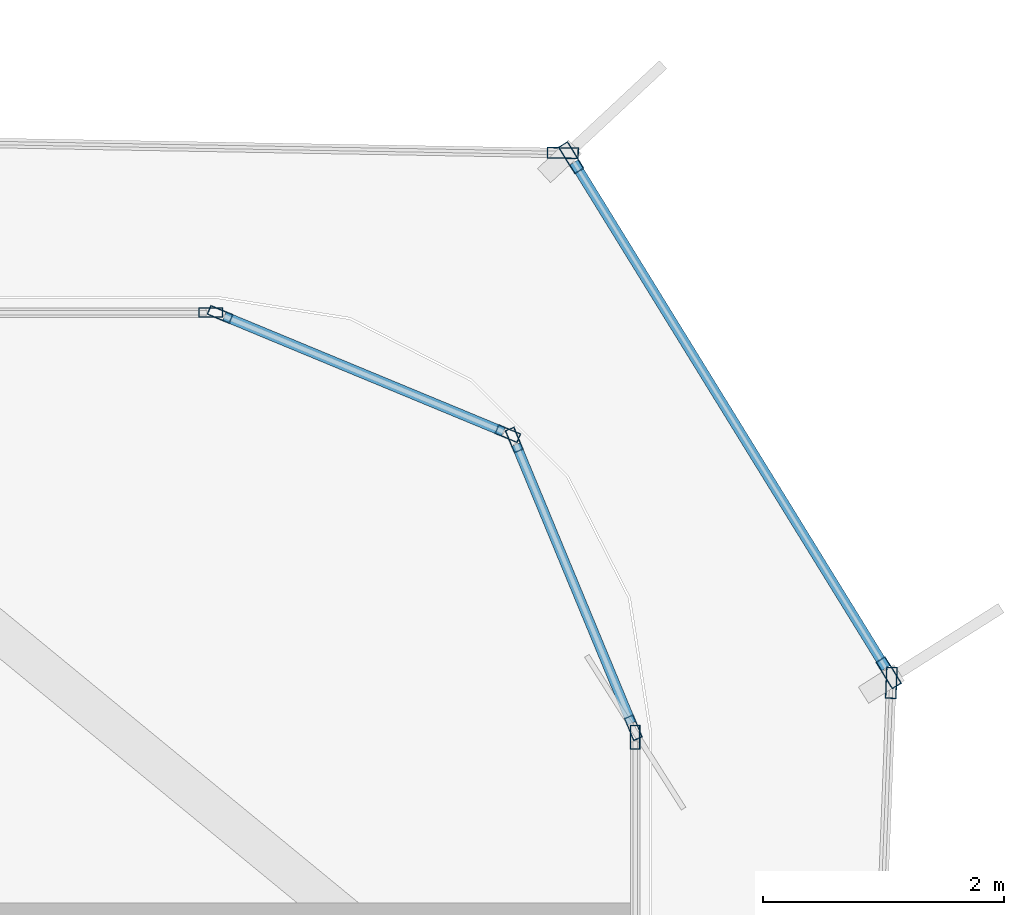
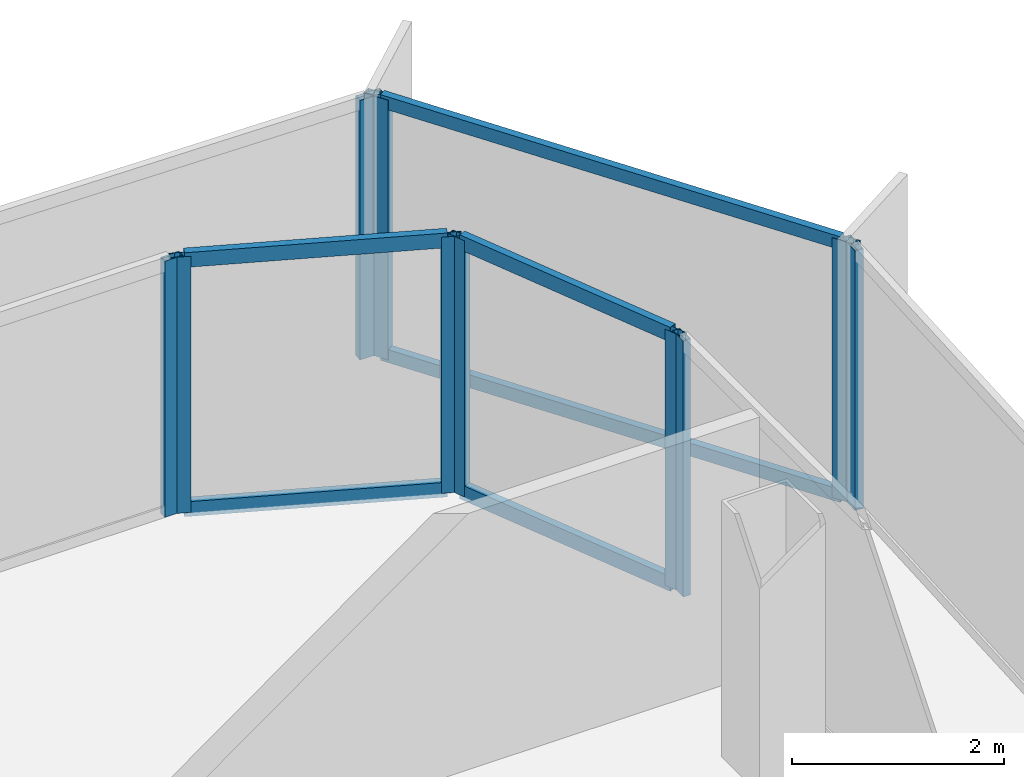
# One storey, part 8 of 16: 16 members, 7 elements without a shape of their own.
"""IFC4 building model written with IfcOpenShell, lengths in metres."""

from ifc_helpers import new_model, si_unit, direction, frame, origin, origin_2d, place, context, subcontext, project, spatial, hollow_rectangle, extrude, source, transform, mapped, material, layer, layer_set, material_profile, profile_set, type_object, element, aggregate, save


model = new_model("IFC4")

# Units and contexts
model_context = context("Model", 3, precision=1e-05, world=origin(), true_north=direction((0.0, 1.0)))
body_context = subcontext(model_context, "Body", "Model", "MODEL_VIEW")
ifc_project = project(units=[si_unit("LENGTHUNIT", "METRE"), si_unit("AREAUNIT", "SQUARE_METRE"), si_unit("VOLUMEUNIT", "CUBIC_METRE"), si_unit("PLANEANGLEUNIT", "RADIAN"), si_unit("MASSUNIT", "GRAM", prefix="KILO")], contexts=[model_context])

# Site, building, storey
site_placement = place(None, origin())
site = spatial("IfcSite", under=ifc_project, at=site_placement, CompositionType="ELEMENT")
building_placement = place(site_placement, origin())
building = spatial("IfcBuilding", under=site, at=building_placement, Name="Kolveth Station Tower", CompositionType="ELEMENT")
storey_placement = place(building_placement, frame((0.0, 0.0, 206.0)))
storey = spatial("IfcBuildingStorey", under=building, at=storey_placement, Name="L58", CompositionType="ELEMENT", Elevation=206.0)

# Curtain wall, member
ifc_material_1 = material(Name="Aluminium 6063-T6 and low-E dark glass", Category="aluminium")
ifc_layer_1 = layer(ifc_material_1, 0.18994140625)
ifc_layer_set_1 = layer_set([ifc_layer_1], Name="Aluminium 6063-T6 and low-E dark glass")
curtain_wall_type_1 = type_object("IfcCurtainWallType", Name="CurtainWall_CW-Z2", PredefinedType="NOTDEFINED", material=ifc_layer_set_1)
curtain_wall_1_placement = place(storey_placement, origin())
curtain_wall_1 = element("IfcCurtainWall", 1, at=curtain_wall_1_placement, inside=storey, type_object=curtain_wall_type_1, Name="L58 Inner Thermal Curtain Wall 3", PredefinedType="NOTDEFINED")
ifc_material_2 = material(Name="Black anodized aluminium 6063-T6", Category="aluminium")
ifc_material_profile_1 = material_profile(ifc_material_2, hollow_rectangle(XDim=0.080078125, YDim=0.199951171875, WallThickness=0.0048828125, at=origin_2d()), Name="ALU-80x200x5")
ifc_profile_set_1 = profile_set([ifc_material_profile_1], Name="Black anodized aluminium 6063-T6")
member_type_1 = type_object("IfcMemberType", Name="Mullion_ML2", PredefinedType="MULLION", material=ifc_profile_set_1)
shared_shape_1 = source(origin(), body_context, "Body", "SweptSolid", [
    extrude(hollow_rectangle(XDim=0.080078125, YDim=0.199951171875, WallThickness=0.0048828125, at=origin_2d()), origin(), (0.0, 0.0, 1.0), 2.949951171875),
])
member_1_placement = place(storey_placement, frame((41.679931640625, 31.659912109375, 0.0), z_axis=(0.0, 0.0, 1.0), x_axis=(-1.0, 0.0, 0.0)))
member_1 = element("IfcMember", 2, at=member_1_placement, type_object=member_type_1, Name="CW-Z2 mullion 2", PredefinedType="MULLION", context=body_context, shape_type="MappedRepresentation", body=[
    mapped(shared_shape_1, transform((0.0, 0.0, 0.0), x_axis=(1.0, 0.0, 0.0), y_axis=(0.0, 1.0, 0.0), z_axis=(0.0, 0.0, 1.0), scale=1.0)),
])
aggregate(curtain_wall_1, [member_1])

# Curtain wall, members
curtain_wall_2_placement = place(storey_placement, origin())
curtain_wall_2 = element("IfcCurtainWall", 3, at=curtain_wall_2_placement, inside=storey, type_object=curtain_wall_type_1, Name="L58 Inner Thermal Curtain Wall 4", PredefinedType="NOTDEFINED")
member_2_placement = place(storey_placement, frame((41.664794921875, 31.737060546875, 0.0), z_axis=(0.0, 0.0, 1.0), x_axis=(-0.923873600544, -0.382697753087, 0.0)))
member_2 = element("IfcMember", 4, at=member_2_placement, type_object=member_type_1, Name="CW-Z2 mullion 1", PredefinedType="MULLION", context=body_context, shape_type="MappedRepresentation", body=[
    mapped(shared_shape_1, transform((0.0, 0.0, 0.0), x_axis=(1.0, 0.0, 0.0), y_axis=(0.0, 1.0, 0.0), z_axis=(0.0, 0.0, 1.0), scale=1.0)),
])
member_3_placement = place(storey_placement, frame((40.676025390625, 34.123779296875, 0.0), z_axis=(0.0, 0.0, 1.0), x_axis=(-0.923873600544, -0.382697753087, 0.0)))
member_3 = element("IfcMember", 5, at=member_3_placement, type_object=member_type_1, Name="CW-Z2 mullion 2", PredefinedType="MULLION", context=body_context, shape_type="MappedRepresentation", body=[
    mapped(shared_shape_1, transform((0.0, 0.0, 0.0), x_axis=(1.0, 0.0, 0.0), y_axis=(0.0, 1.0, 0.0), z_axis=(0.0, 0.0, 1.0), scale=1.0)),
])

curtain_wall_3_placement = place(storey_placement, origin())
curtain_wall_3 = element("IfcCurtainWall", 6, at=curtain_wall_3_placement, inside=storey, type_object=curtain_wall_type_1, Name="L58 Inner Thermal Curtain Wall 5", PredefinedType="NOTDEFINED")
member_4_placement = place(storey_placement, frame((40.623779296875, 34.176025390625, 0.0), z_axis=(0.0, 0.0, 1.0), x_axis=(-0.382697753087, -0.923873600544, 0.0)))
member_4 = element("IfcMember", 7, at=member_4_placement, type_object=member_type_1, Name="CW-Z2 mullion 1", PredefinedType="MULLION", context=body_context, shape_type="MappedRepresentation", body=[
    mapped(shared_shape_1, transform((0.0, 0.0, 0.0), x_axis=(1.0, 0.0, 0.0), y_axis=(0.0, 1.0, 0.0), z_axis=(0.0, 0.0, 1.0), scale=1.0)),
])
member_5_placement = place(storey_placement, frame((38.237060546875, 35.164794921875, 0.0), z_axis=(0.0, 0.0, 1.0), x_axis=(-0.382697753087, -0.923873600544, 0.0)))
member_5 = element("IfcMember", 8, at=member_5_placement, type_object=member_type_1, Name="CW-Z2 mullion 2", PredefinedType="MULLION", context=body_context, shape_type="MappedRepresentation", body=[
    mapped(shared_shape_1, transform((0.0, 0.0, 0.0), x_axis=(1.0, 0.0, 0.0), y_axis=(0.0, 1.0, 0.0), z_axis=(0.0, 0.0, 1.0), scale=1.0)),
])

# Curtain wall, member
curtain_wall_4_placement = place(storey_placement, origin())
curtain_wall_4 = element("IfcCurtainWall", 9, at=curtain_wall_4_placement, inside=storey, type_object=curtain_wall_type_1, Name="L58 Inner Thermal Curtain Wall 6", PredefinedType="NOTDEFINED")
member_6_placement = place(storey_placement, frame((38.159912109375, 35.179931640625, 0.0), z_axis=(0.0, 0.0, 1.0), x_axis=(0.0, -1.0, 0.0)))
member_6 = element("IfcMember", 10, at=member_6_placement, type_object=member_type_1, Name="CW-Z2 mullion 1", PredefinedType="MULLION", context=body_context, shape_type="MappedRepresentation", body=[
    mapped(shared_shape_1, transform((0.0, 0.0, 0.0), x_axis=(1.0, 0.0, 0.0), y_axis=(0.0, 1.0, 0.0), z_axis=(0.0, 0.0, 1.0), scale=1.0)),
])
aggregate(curtain_wall_4, [member_6])

ifc_material_3 = material(Name="Black anodized aluminium 6063-T6 and dark solar glass", Category="aluminium")
ifc_layer_2 = layer(ifc_material_3, 0.159912109375)
ifc_layer_set_2 = layer_set([ifc_layer_2], Name="Black anodized aluminium 6063-T6 and dark solar glass")
curtain_wall_type_2 = type_object("IfcCurtainWallType", Name="OUTER SKIN CW-OS", PredefinedType="NOTDEFINED", material=ifc_layer_set_2)
curtain_wall_5_placement = place(storey_placement, origin())
curtain_wall_5 = element("IfcCurtainWall", 11, at=curtain_wall_5_placement, inside=storey, type_object=curtain_wall_type_2, Name="L58 Outer Ventilated Skin Curtain Wall 2", PredefinedType="NOTDEFINED")
ifc_material_profile_2 = material_profile(ifc_material_2, hollow_rectangle(XDim=0.090087890625, YDim=0.260009765625, WallThickness=0.0048828125, at=origin_2d()), Name="ALU-90x260x5")
ifc_profile_set_2 = profile_set([ifc_material_profile_2], Name="Black anodized aluminium 6063-T6")
member_type_2 = type_object("IfcMemberType", Name="FIN MULLION ML-OS", PredefinedType="MULLION", material=ifc_profile_set_2)
shared_shape_2 = source(origin(), body_context, "Body", "SweptSolid", [
    extrude(hollow_rectangle(XDim=0.090087890625, YDim=0.260009765625, WallThickness=0.0048828125, at=origin_2d()), origin(), (0.0, 0.0, 1.0), 2.989990234375),
])
member_7_placement = place(storey_placement, frame((43.803955078125, 32.109619140625, 0.0), z_axis=(0.0, 0.0, 1.0), x_axis=(-0.999237225825, 0.039050819788, 0.0)))
member_7 = element("IfcMember", 12, at=member_7_placement, type_object=member_type_2, Name="CW-OS mullion 2", PredefinedType="MULLION", context=body_context, shape_type="MappedRepresentation", body=[
    mapped(shared_shape_2, transform((0.0, 0.0, 0.0), x_axis=(1.0, 0.0, 0.0), y_axis=(0.0, 1.0, 0.0), z_axis=(0.0, 0.0, 1.0), scale=1.0)),
])
aggregate(curtain_wall_5, [member_7])

# Curtain wall, members
curtain_wall_6_placement = place(storey_placement, origin())
curtain_wall_6 = element("IfcCurtainWall", 13, at=curtain_wall_6_placement, inside=storey, type_object=curtain_wall_type_2, Name="L58 Outer Ventilated Skin Curtain Wall 3", PredefinedType="NOTDEFINED")
member_8_placement = place(storey_placement, frame((43.781982421875, 32.193115234375, 0.0), z_axis=(0.0, 0.0, 1.0), x_axis=(-0.851220429678, -0.52480832701, 0.0)))
member_8 = element("IfcMember", 14, at=member_8_placement, type_object=member_type_2, Name="CW-OS mullion 1", PredefinedType="MULLION", context=body_context, shape_type="MappedRepresentation", body=[
    mapped(shared_shape_2, transform((0.0, 0.0, 0.0), x_axis=(1.0, 0.0, 0.0), y_axis=(0.0, 1.0, 0.0), z_axis=(0.0, 0.0, 1.0), scale=1.0)),
])
member_9_placement = place(storey_placement, frame((41.1484375, 36.46435546875, 0.0), z_axis=(0.0, 0.0, 1.0), x_axis=(-0.851220429678, -0.52480832701, 0.0)))
member_9 = element("IfcMember", 15, at=member_9_placement, type_object=member_type_2, Name="CW-OS mullion 2", PredefinedType="MULLION", context=body_context, shape_type="MappedRepresentation", body=[
    mapped(shared_shape_2, transform((0.0, 0.0, 0.0), x_axis=(1.0, 0.0, 0.0), y_axis=(0.0, 1.0, 0.0), z_axis=(0.0, 0.0, 1.0), scale=1.0)),
])

# Curtain wall, member
curtain_wall_7_placement = place(storey_placement, origin())
curtain_wall_7 = element("IfcCurtainWall", 16, at=curtain_wall_7_placement, inside=storey, type_object=curtain_wall_type_2, Name="L58 Outer Ventilated Skin Curtain Wall 4", PredefinedType="NOTDEFINED")
member_10_placement = place(storey_placement, frame((41.079833984375, 36.50341796875, 0.0), z_axis=(0.0, 0.0, 1.0), x_axis=(-0.017533183429, -0.999846281925, 0.0)))
member_10 = element("IfcMember", 17, at=member_10_placement, type_object=member_type_2, Name="CW-OS mullion 1", PredefinedType="MULLION", context=body_context, shape_type="MappedRepresentation", body=[
    mapped(shared_shape_2, transform((0.0, 0.0, 0.0), x_axis=(1.0, 0.0, 0.0), y_axis=(0.0, 1.0, 0.0), z_axis=(0.0, 0.0, 1.0), scale=1.0)),
])
aggregate(curtain_wall_7, [member_10])

# Member
ifc_material_profile_3 = material_profile(ifc_material_2, hollow_rectangle(XDim=0.080078125, YDim=0.169921875, WallThickness=0.0048828125, at=origin_2d()), Name="ALU-80x170x5")
ifc_profile_set_3 = profile_set([ifc_material_profile_3], Name="Black anodized aluminium 6063-T6")
member_type_3 = type_object("IfcMemberType", Name="Transom_TR2", PredefinedType="USERDEFINED", material=ifc_profile_set_3)
shared_shape_3 = source(origin(), body_context, "Body", "SweptSolid", [
    extrude(hollow_rectangle(XDim=0.080078125, YDim=0.169921875, WallThickness=0.0048828125, at=origin_2d()), origin(), (0.0, 0.0, 1.0), 2.50341796875),
])
member_11_placement = place(storey_placement, frame((41.6494140625, 31.77392578125, 0.0400390625), z_axis=(-0.382696328882, 0.923874190494, 0.0), x_axis=(-0.923874190494, -0.382696328882, 0.0)))
member_11 = element("IfcMember", 18, at=member_11_placement, type_object=member_type_3, Name="CW-Z2 transom 1.1", ObjectType="TRANSOM", PredefinedType="USERDEFINED", context=body_context, shape_type="MappedRepresentation", body=[
    mapped(shared_shape_3, transform((0.0, 0.0, 0.0), x_axis=(1.0, 0.0, 0.0), y_axis=(0.0, 1.0, 0.0), z_axis=(0.0, 0.0, 1.0), scale=1.0)),
])

member_12_placement = place(storey_placement, frame((41.6494140625, 31.77392578125, 2.909912109375), z_axis=(-0.382696328882, 0.923874190494, 0.0), x_axis=(-0.923874190494, -0.382696328882, 0.0)))
member_12 = element("IfcMember", 19, at=member_12_placement, type_object=member_type_3, Name="CW-Z2 transom 1.2", ObjectType="TRANSOM", PredefinedType="USERDEFINED", context=body_context, shape_type="MappedRepresentation", body=[
    mapped(shared_shape_3, transform((0.0, 0.0, 0.0), x_axis=(1.0, 0.0, 0.0), y_axis=(0.0, 1.0, 0.0), z_axis=(0.0, 0.0, 1.0), scale=1.0)),
])

aggregate(curtain_wall_2, [member_2, member_3, member_11, member_12])

member_13_placement = place(storey_placement, frame((40.586669921875, 34.19140625, 0.0400390625), z_axis=(-0.923874190494, 0.382696328882, 0.0), x_axis=(-0.382696328882, -0.923874190494, 0.0)))
member_13 = element("IfcMember", 20, at=member_13_placement, type_object=member_type_3, Name="CW-Z2 transom 1.1", ObjectType="TRANSOM", PredefinedType="USERDEFINED", context=body_context, shape_type="MappedRepresentation", body=[
    mapped(shared_shape_3, transform((0.0, 0.0, 0.0), x_axis=(1.0, 0.0, 0.0), y_axis=(0.0, 1.0, 0.0), z_axis=(0.0, 0.0, 1.0), scale=1.0)),
])

member_14_placement = place(storey_placement, frame((40.586669921875, 34.19140625, 2.909912109375), z_axis=(-0.923874190494, 0.382696328882, 0.0), x_axis=(-0.382696328882, -0.923874190494, 0.0)))
member_14 = element("IfcMember", 21, at=member_14_placement, type_object=member_type_3, Name="CW-Z2 transom 1.2", ObjectType="TRANSOM", PredefinedType="USERDEFINED", context=body_context, shape_type="MappedRepresentation", body=[
    mapped(shared_shape_3, transform((0.0, 0.0, 0.0), x_axis=(1.0, 0.0, 0.0), y_axis=(0.0, 1.0, 0.0), z_axis=(0.0, 0.0, 1.0), scale=1.0)),
])

aggregate(curtain_wall_3, [member_4, member_5, member_13, member_14])

ifc_material_profile_4 = material_profile(ifc_material_2, hollow_rectangle(XDim=0.080078125, YDim=0.14990234375, WallThickness=0.0048828125, at=origin_2d()), Name="ALU-80x150x5")
ifc_profile_set_4 = profile_set([ifc_material_profile_4], Name="Black anodized aluminium 6063-T6")
member_type_4 = type_object("IfcMemberType", Name="Transom_TR-OS", PredefinedType="USERDEFINED", material=ifc_profile_set_4)
shared_shape_4 = source(origin(), body_context, "Body", "SweptSolid", [
    extrude(hollow_rectangle(XDim=0.080078125, YDim=0.14990234375, WallThickness=0.0048828125, at=origin_2d()), origin(), (0.0, 0.0, 1.0), 4.927978515625),
])
member_15_placement = place(storey_placement, frame((43.75830078125, 32.231201171875, 0.0400390625), z_axis=(-0.524796575454, 0.851227674827, 0.0), x_axis=(-0.851227674827, -0.524796575454, 0.0)))
member_15 = element("IfcMember", 22, at=member_15_placement, type_object=member_type_4, Name="CW-OS transom 1.1", ObjectType="TRANSOM", PredefinedType="USERDEFINED", context=body_context, shape_type="MappedRepresentation", body=[
    mapped(shared_shape_4, transform((0.0, 0.0, 0.0), x_axis=(1.0, 0.0, 0.0), y_axis=(0.0, 1.0, 0.0), z_axis=(0.0, 0.0, 1.0), scale=1.0)),
])

member_16_placement = place(storey_placement, frame((43.75830078125, 32.231201171875, 2.949951171875), z_axis=(-0.524796575454, 0.851227674827, 0.0), x_axis=(-0.851227674827, -0.524796575454, 0.0)))
member_16 = element("IfcMember", 23, at=member_16_placement, type_object=member_type_4, Name="CW-OS transom 1.2", ObjectType="TRANSOM", PredefinedType="USERDEFINED", context=body_context, shape_type="MappedRepresentation", body=[
    mapped(shared_shape_4, transform((0.0, 0.0, 0.0), x_axis=(1.0, 0.0, 0.0), y_axis=(0.0, 1.0, 0.0), z_axis=(0.0, 0.0, 1.0), scale=1.0)),
])

aggregate(curtain_wall_6, [member_8, member_9, member_15, member_16])

save(model, "model.ifc")
